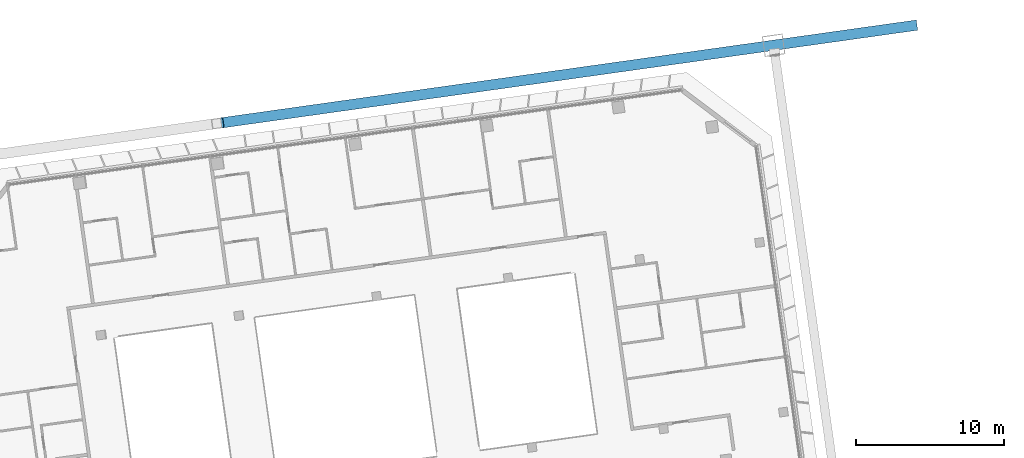
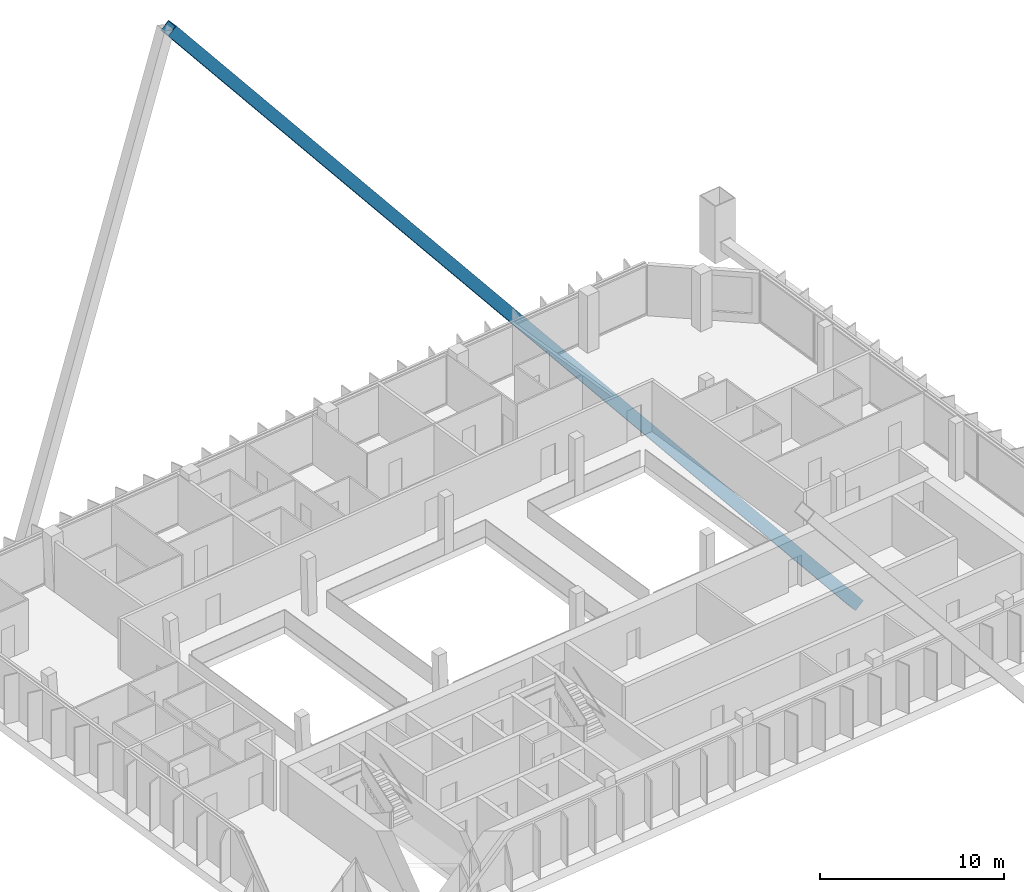
# One storey, part 21 of 38: 1 member.
"""IFC4 building model written with IfcOpenShell, lengths in metres."""

from ifc_helpers import new_model, si_unit, direction, frame, origin, origin_2d, place, context, subcontext, project, spatial, hollow_rectangle, extrude, material, material_profile, profile_set, type_object, element, save


model = new_model("IFC4")

# Units and contexts
model_context = context("Model", 3, precision=1e-05, world=origin(), true_north=direction((0.0, 1.0)))
body_context = subcontext(model_context, "Body", "Model", "MODEL_VIEW")
ifc_project = project(units=[si_unit("LENGTHUNIT", "METRE"), si_unit("AREAUNIT", "SQUARE_METRE"), si_unit("VOLUMEUNIT", "CUBIC_METRE"), si_unit("PLANEANGLEUNIT", "RADIAN"), si_unit("MASSUNIT", "GRAM", prefix="KILO")], contexts=[model_context])

# Site, building, storey
site_placement = place(None, origin())
site = spatial("IfcSite", under=ifc_project, at=site_placement, CompositionType="ELEMENT")
building_placement = place(site_placement, origin())
building = spatial("IfcBuilding", under=site, at=building_placement, Name="Mirante Cascada Hotel Towers", CompositionType="ELEMENT")
storey_placement = place(building_placement, frame((0.0, 0.0, 184.0)))
storey = spatial("IfcBuildingStorey", under=building, at=storey_placement, Name="L43", CompositionType="ELEMENT", Elevation=184.0)

# Member
ifc_material = material(Name="Steel ASTM A572 Gr 50", Category="steel")
ifc_material_profile = material_profile(ifc_material, hollow_rectangle(XDim=0.7, YDim=0.7, WallThickness=0.035, at=origin_2d()), Name="Box brace 700x700x35 ASTM A572 Gr 50")
ifc_profile_set = profile_set([ifc_material_profile], Name="Steel ASTM A572 Gr 50")
member_type = type_object("IfcMemberType", Name="Box brace 700x700x35 ASTM A572 Gr 50", PredefinedType="BRACE", material=ifc_profile_set)
member_placement = place(storey_placement, frame((91.9746, 27.9163, -27.3045), z_axis=(-0.622869, -0.0875376, 0.7774132), x_axis=(0.1391717, -0.9902683, 0.0)))
element("IfcMember", 1, at=member_placement, inside=storey, type_object=member_type, Name="brace T2 L43 2", PredefinedType="BRACE", context=body_context, shape_type="SweptSolid", body=[
    extrude(hollow_rectangle(XDim=0.7, YDim=0.7, WallThickness=0.035, at=origin_2d()), origin(), (0.0, 0.0, 1.0), 75.4224),
])

save(model, "model.ifc")
